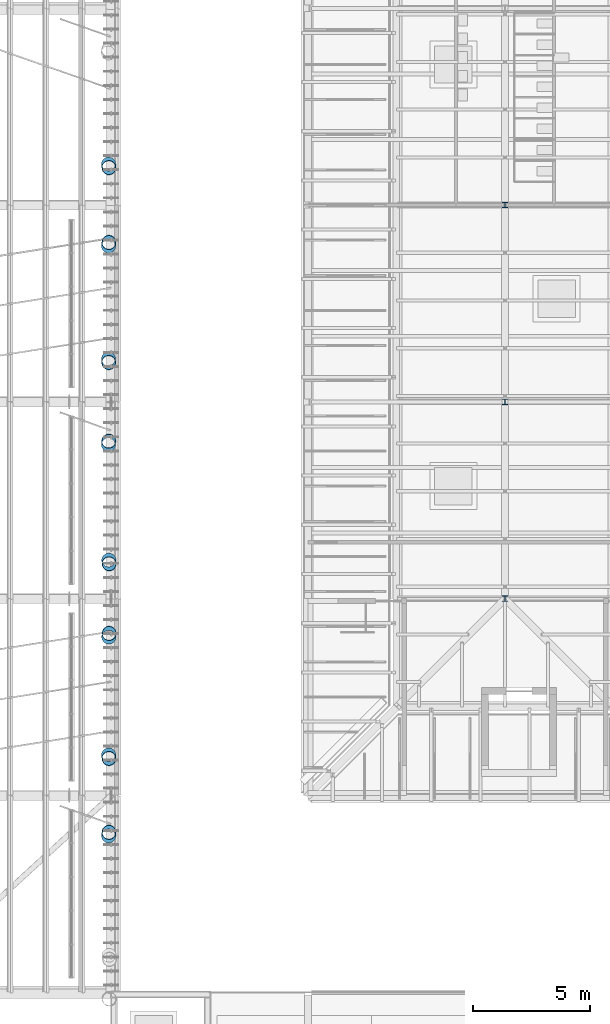
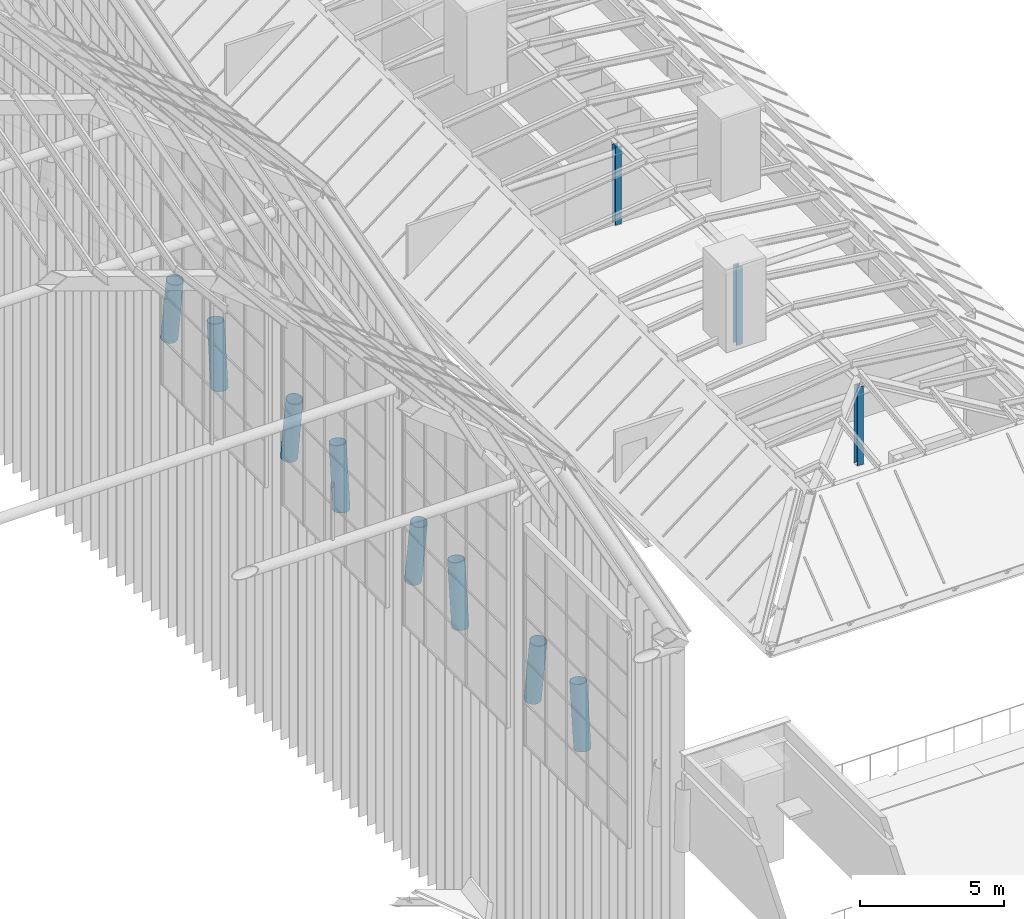
# One storey, part 4 of 126: 11 columns.
"""IFC4 building model written with IfcOpenShell, lengths in metres."""

from ifc_helpers import new_model, si_unit, direction, frame, origin, origin_2d, place, context, subcontext, project, spatial, hollow_circle, i_section, extrude, material, material_profile, profile_set, type_object, element, save


model = new_model("IFC4")

# Units and contexts
model_context = context("Model", 3, precision=1e-05, world=origin(), true_north=direction((0.0, 1.0)))
body_context = subcontext(model_context, "Body", "Model", "MODEL_VIEW")
ifc_project = project(units=[si_unit("LENGTHUNIT", "METRE"), si_unit("AREAUNIT", "SQUARE_METRE"), si_unit("VOLUMEUNIT", "CUBIC_METRE"), si_unit("PLANEANGLEUNIT", "RADIAN"), si_unit("MASSUNIT", "GRAM", prefix="KILO")], contexts=[model_context])

# Site, building, storey
site_placement = place(None, origin())
site = spatial("IfcSite", under=ifc_project, at=site_placement, CompositionType="ELEMENT")
building_placement = place(site_placement, origin())
building = spatial("IfcBuilding", under=site, at=building_placement, Name="Sava Quay Ferry Terminal", CompositionType="ELEMENT")
storey_placement = place(building_placement, frame((0.0, 0.0, 15.0)))
storey = spatial("IfcBuildingStorey", under=building, at=storey_placement, Name="L03", CompositionType="ELEMENT", Elevation=15.0)

# Columns
ifc_material_1 = material(Name="Steel S355", Category="steel")
ifc_material_profile_1 = material_profile(ifc_material_1, i_section(OverallWidth=0.239990234375, OverallDepth=0.239990234375, WebThickness=0.010009765625, FlangeThickness=0.01708984375, at=origin_2d()), Name="HE 240 B")
ifc_profile_set_1 = profile_set([ifc_material_profile_1], Name="Steel S355")
column_type_1 = type_object("IfcColumnType", Name="Column HE 240 B", PredefinedType="COLUMN", material=ifc_profile_set_1)
for number, where, z_axis, x_axis, name in (
    (1, (100.800048828125, 67.199951171875, 0.0), (0.0, 0.0, 1.0), (1.0, 0.0, 0.0), "Column L03 100.8/67.2"),
    (2, (100.800048828125, 75.60009765625, 0.0), (0.0, 0.0, 1.0), (1.0, 0.0, 0.0), "Column L03 100.8/75.6"),
    (3, (100.800048828125, 84.0, 0.0), (0.0, 0.0, 1.0), (1.0, 0.0, 0.0), "Column L03 100.8/84"),
):
    element("IfcColumn", number, at=place(storey_placement, frame(where, z_axis=z_axis, x_axis=x_axis)), inside=storey, type_object=column_type_1, Name=name, PredefinedType="COLUMN", context=body_context, shape_type="SweptSolid", body=[
        extrude(i_section(OverallWidth=0.239990234375, OverallDepth=0.239990234375, WebThickness=0.010009765625, FlangeThickness=0.01708984375, at=origin_2d()), origin(), (0.0, 0.0, 1.0), 3.31005859375),
    ])
ifc_material_2 = material(Name="Steel S355", Category="steel")
ifc_material_profile_2 = material_profile(ifc_material_2, hollow_circle(Radius=0.304931640625, WallThickness=0.02001953125, at=origin_2d()), Name="CHS 610 x 20.0")
ifc_profile_set_2 = profile_set([ifc_material_profile_2], Name="Steel S355")
column_type_2 = type_object("IfcColumnType", Name="V column CHS 610x20", PredefinedType="COLUMN", material=ifc_profile_set_2)
for number, where, z_axis, x_axis, name in (
    (4, (83.880859375, 57.07666015625, 0.0), (0.010967008389, 0.126029204743, 0.991965908829), (-0.996235164608, 0.086691965013, 0.0), "Departure hall V column D-VR1a part 4"),
    (5, (83.880859375, 60.523193359375, 0.0), (0.010967134664, -0.12593926306, 0.991977330375), (0.996229729298, 0.086754403132, 0.0), "Departure hall V column D-VR1b part 4"),
):
    element("IfcColumn", number, at=place(storey_placement, frame(where, z_axis=z_axis, x_axis=x_axis)), inside=storey, type_object=column_type_2, Name=name, PredefinedType="COLUMN", context=body_context, shape_type="SweptSolid", body=[
        extrude(hollow_circle(Radius=0.304931640625, WallThickness=0.02001953125, at=origin_2d()), origin(), (0.0, 0.0, 1.0), 2.67138671875),
    ])
for number, where, z_axis, x_axis, name in (
    (6, (83.88818359375, 65.56103515625, 0.0), (0.011416397974, 0.131060248746, 0.99130866891), (-0.996227551884, 0.086779403474, 0.0), "Departure hall V column D-VR2a part 4"),
    (7, (83.88818359375, 68.8388671875, 0.0), (0.011416534582, -0.130970484727, 0.991320530842), (0.996222318402, 0.086839462901, 0.0), "Departure hall V column D-VR2b part 4"),
):
    element("IfcColumn", number, at=place(storey_placement, frame(where, z_axis=z_axis, x_axis=x_axis)), inside=storey, type_object=column_type_2, Name=name, PredefinedType="COLUMN", context=body_context, shape_type="SweptSolid", body=[
        extrude(hollow_circle(Radius=0.304931640625, WallThickness=0.02001953125, at=origin_2d()), origin(), (0.0, 0.0, 1.0), 2.673095703125),
    ])
for number, where, z_axis, x_axis, name in (
    (8, (83.87255859375, 73.78173828125, 0.0), (0.010517561585, 0.120357487356, 0.992674899519), (-0.996203571173, 0.087054263438, 0.0), "Departure hall V column D-VR3a part 4"),
    (9, (83.87255859375, 77.418212890625, 0.0), (0.010517561585, -0.120357487356, 0.992674899519), (0.996203571173, 0.087054263438, 0.0), "Departure hall V column D-VR3b part 4"),
):
    element("IfcColumn", number, at=place(storey_placement, frame(where, z_axis=z_axis, x_axis=x_axis)), inside=storey, type_object=column_type_2, Name=name, PredefinedType="COLUMN", context=body_context, shape_type="SweptSolid", body=[
        extrude(hollow_circle(Radius=0.304931640625, WallThickness=0.02001953125, at=origin_2d()), origin(), (0.0, 0.0, 1.0), 2.66943359375),
    ])
for number, where, z_axis, x_axis, name in (
    (10, (83.879150390625, 82.25732421875, 0.0), (0.010877248653, 0.124859845883, 0.992114763698), (-0.996226892799, 0.086786969431, 0.0), "Departure hall V column D-VR4a part 4"),
    (11, (83.879150390625, 85.74267578125, 0.0), (0.010877248653, -0.124859845883, 0.992114763698), (0.996226892799, 0.086786969431, 0.0), "Departure hall V column D-VR4b part 4"),
):
    element("IfcColumn", number, at=place(storey_placement, frame(where, z_axis=z_axis, x_axis=x_axis)), inside=storey, type_object=column_type_2, Name=name, PredefinedType="COLUMN", context=body_context, shape_type="SweptSolid", body=[
        extrude(hollow_circle(Radius=0.304931640625, WallThickness=0.02001953125, at=origin_2d()), origin(), (0.0, 0.0, 1.0), 2.6708984375),
    ])

save(model, "model.ifc")
